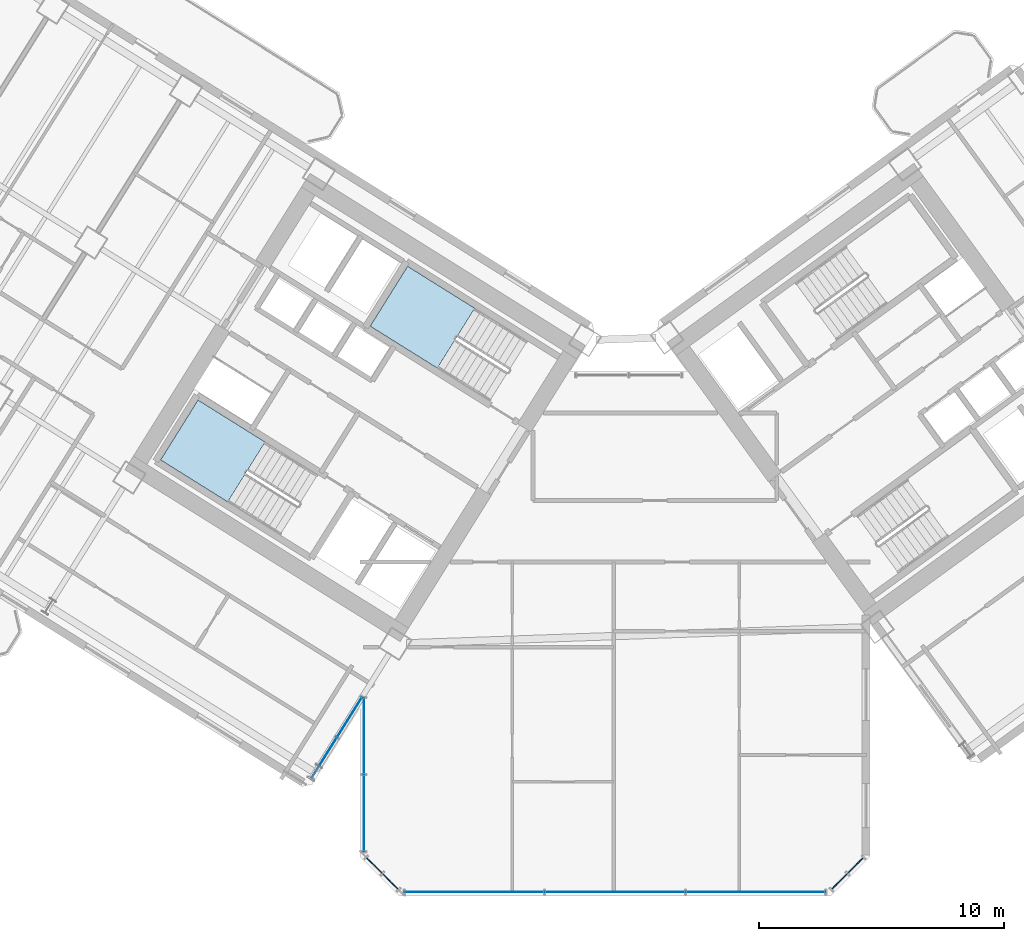
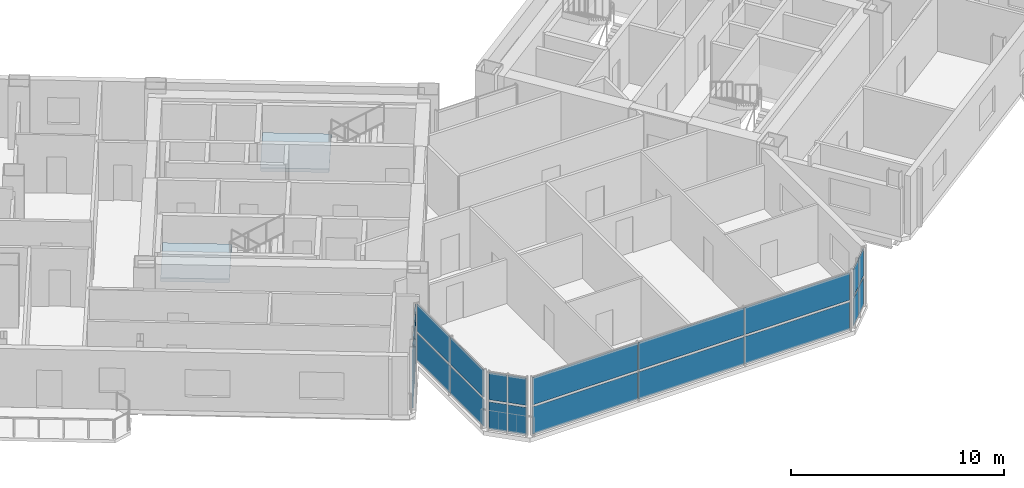
# One storey, part 13 of 24: 22 plates, 2 slabs, 7 elements without a shape of their own.
"""IFC4 building model written with IfcOpenShell, lengths in metres."""

from ifc_helpers import new_model, si_unit, direction, frame, origin, origin_2d, place, context, subcontext, project, spatial, polyline, rectangle, outline, extrude, source, transform, mapped, material, layer, layer_set, type_object, element, aggregate, save


model = new_model("IFC4")

# Units and contexts
model_context = context("Model", 3, precision=1e-05, world=origin(), true_north=direction((0.0, 1.0)))
body_context = subcontext(model_context, "Body", "Model", "MODEL_VIEW")
ifc_project = project(units=[si_unit("LENGTHUNIT", "METRE"), si_unit("AREAUNIT", "SQUARE_METRE"), si_unit("VOLUMEUNIT", "CUBIC_METRE"), si_unit("PLANEANGLEUNIT", "RADIAN"), si_unit("MASSUNIT", "GRAM", prefix="KILO")], contexts=[model_context])

# Site, building, storey
site_placement = place(None, origin())
site = spatial("IfcSite", under=ifc_project, at=site_placement, CompositionType="ELEMENT")
building_placement = place(site_placement, origin())
building = spatial("IfcBuilding", under=site, at=building_placement, Name="Tlacorven Tower", CompositionType="ELEMENT")
storey_placement = place(building_placement, frame((0.0, 0.0, 60.0)))
storey = spatial("IfcBuildingStorey", under=building, at=storey_placement, Name="L15", CompositionType="ELEMENT", Elevation=60.0)

# Stair, slab
ifc_material_1 = material(Name="Concrete C40/50", Category="concrete")
stair_type = type_object("IfcStairType", Name="ST-CORE-DLG", PredefinedType="HALF_TURN_STAIR", material=ifc_material_1)
stair_1_placement = place(storey_placement, origin())
stair_1 = element("IfcStair", 1, at=stair_1_placement, inside=storey, type_object=stair_type, Name="L15 Protected Exit Stair West 1", PredefinedType="HALF_TURN_STAIR")
ifc_layer_1 = layer(ifc_material_1, 0.199951171875)
ifc_layer_set_1 = layer_set([ifc_layer_1], Name="Concrete C40/50")
slab_type = type_object("IfcSlabType", Name="SL-LND-200", PredefinedType="LANDING", material=ifc_layer_set_1)
slab_1_placement = place(storey_placement, frame((0.0, 0.0, 1.60009765625)))
slab_1 = element("IfcSlab", 2, at=slab_1_placement, type_object=slab_type, Name="ST-W1 landing 1", PredefinedType="LANDING", context=body_context, shape_type="SweptSolid", body=[
    extrude(outline(polyline([(27.728515625, 20.315185546875), (24.9892578125, 22.02685546875), (23.463134765625, 19.58447265625), (26.2021484375, 17.872802734375), (27.728515625, 20.315185546875)])), origin(), (0.0, 0.0, 1.0), 0.199951171875),
])
aggregate(stair_1, [slab_1])

stair_2_placement = place(storey_placement, origin())
stair_2 = element("IfcStair", 3, at=stair_2_placement, inside=storey, type_object=stair_type, Name="L15 Protected Exit Stair West 2", PredefinedType="HALF_TURN_STAIR")
slab_2_placement = place(storey_placement, frame((0.0, 0.0, 1.60009765625)))
slab_2 = element("IfcSlab", 4, at=slab_2_placement, type_object=slab_type, Name="ST-W2 landing 1", PredefinedType="LANDING", context=body_context, shape_type="SweptSolid", body=[
    extrude(outline(polyline([(36.280029296875, 25.772705078125), (33.540771484375, 27.484375), (32.0146484375, 25.0419921875), (34.75390625, 23.33056640625), (36.280029296875, 25.772705078125)])), origin(), (0.0, 0.0, 1.0), 0.199951171875),
])
aggregate(stair_2, [slab_2])

# Curtain wall, plates
ifc_material_2 = material(Name="Dark solar low-E double glazing in aluminium frame", Category="aluminium")
curtain_wall_type = type_object("IfcCurtainWallType", Name="CW-TWR-LOW", PredefinedType="USERDEFINED", material=ifc_material_2)
curtain_wall_1_placement = place(storey_placement, origin())
curtain_wall_1 = element("IfcCurtainWall", 5, at=curtain_wall_1_placement, inside=storey, type_object=curtain_wall_type, Name="L15 CW-TWR-LOW Curtain Wall 81", ObjectType="UNITISED CURTAIN WALL", PredefinedType="USERDEFINED")
ifc_material_3 = material(Name="Dark solar double low-E glazing", Category="glass")
ifc_layer_2 = layer(ifc_material_3, 0.031982421875)
ifc_layer_set_2 = layer_set([ifc_layer_2], Name="Dark solar double low-E glazing")
plate_type = type_object("IfcPlateType", Name="CWP-02", PredefinedType="CURTAIN_PANEL", material=ifc_layer_set_2)
shared_shape_1 = source(origin(), body_context, "Body", "SweptSolid", [
    extrude(rectangle(XDim=0.878173828125, YDim=0.031982421875, at=origin_2d()), origin(), (0.0, 0.0, 1.0), 1.552978515625),
])
plate_1_placement = place(storey_placement, frame((51.815673828125, 3.0419921875, 0.06103515625), z_axis=(0.0, 0.0, 1.0), x_axis=(-0.707106781187, -0.707106781187, 0.0)))
plate_1 = element("IfcPlate", 6, at=plate_1_placement, type_object=plate_type, Name="CW-L15-081 Glazing Panel 1", PredefinedType="CURTAIN_PANEL", context=body_context, shape_type="MappedRepresentation", body=[
    mapped(shared_shape_1, transform((0.0, 0.0, 0.0), scale=1.0)),
])
plate_2_placement = place(storey_placement, frame((51.815673828125, 3.0419921875, 1.73583984375), z_axis=(0.0, 0.0, 1.0), x_axis=(-0.707106781187, -0.707106781187, 0.0)))
plate_2 = element("IfcPlate", 7, at=plate_2_placement, type_object=plate_type, Name="CW-L15-081 Glazing Panel 2", PredefinedType="CURTAIN_PANEL", context=body_context, shape_type="MappedRepresentation", body=[
    mapped(shared_shape_1, transform((0.0, 0.0, 0.0), scale=1.0)),
])
plate_3_placement = place(storey_placement, frame((51.157958984375, 2.38427734375, 0.06103515625), z_axis=(0.0, 0.0, 1.0), x_axis=(-0.707106781187, -0.707106781187, 0.0)))
plate_3 = element("IfcPlate", 8, at=plate_3_placement, type_object=plate_type, Name="CW-L15-081 Glazing Panel 3", PredefinedType="CURTAIN_PANEL", context=body_context, shape_type="MappedRepresentation", body=[
    mapped(shared_shape_1, transform((0.0, 0.0, 0.0), scale=1.0)),
])
plate_4_placement = place(storey_placement, frame((51.157958984375, 2.38427734375, 1.73583984375), z_axis=(0.0, 0.0, 1.0), x_axis=(-0.707106781187, -0.707106781187, 0.0)))
plate_4 = element("IfcPlate", 9, at=plate_4_placement, type_object=plate_type, Name="CW-L15-081 Glazing Panel 4", PredefinedType="CURTAIN_PANEL", context=body_context, shape_type="MappedRepresentation", body=[
    mapped(shared_shape_1, transform((0.0, 0.0, 0.0), scale=1.0)),
])
aggregate(curtain_wall_1, [plate_1, plate_2, plate_3, plate_4])

curtain_wall_2_placement = place(storey_placement, origin())
curtain_wall_2 = element("IfcCurtainWall", 10, at=curtain_wall_2_placement, inside=storey, type_object=curtain_wall_type, Name="L15 CW-TWR-LOW Curtain Wall 83", ObjectType="UNITISED CURTAIN WALL", PredefinedType="USERDEFINED")
plate_5_placement = place(storey_placement, frame((32.842041015625, 2.38427734375, 0.06103515625), z_axis=(0.0, 0.0, 1.0), x_axis=(-0.707106781187, 0.707106781187, 0.0)))
plate_5 = element("IfcPlate", 11, at=plate_5_placement, type_object=plate_type, Name="CW-L15-083 Glazing Panel 1", PredefinedType="CURTAIN_PANEL", context=body_context, shape_type="MappedRepresentation", body=[
    mapped(shared_shape_1, transform((0.0, 0.0, 0.0), scale=1.0)),
])
plate_6_placement = place(storey_placement, frame((32.842041015625, 2.38427734375, 1.73583984375), z_axis=(0.0, 0.0, 1.0), x_axis=(-0.707106781187, 0.707106781187, 0.0)))
plate_6 = element("IfcPlate", 12, at=plate_6_placement, type_object=plate_type, Name="CW-L15-083 Glazing Panel 2", PredefinedType="CURTAIN_PANEL", context=body_context, shape_type="MappedRepresentation", body=[
    mapped(shared_shape_1, transform((0.0, 0.0, 0.0), scale=1.0)),
])
plate_7_placement = place(storey_placement, frame((32.184326171875, 3.0419921875, 0.06103515625), z_axis=(0.0, 0.0, 1.0), x_axis=(-0.707106781187, 0.707106781187, 0.0)))
plate_7 = element("IfcPlate", 13, at=plate_7_placement, type_object=plate_type, Name="CW-L15-083 Glazing Panel 3", PredefinedType="CURTAIN_PANEL", context=body_context, shape_type="MappedRepresentation", body=[
    mapped(shared_shape_1, transform((0.0, 0.0, 0.0), scale=1.0)),
])
plate_8_placement = place(storey_placement, frame((32.184326171875, 3.0419921875, 1.73583984375), z_axis=(0.0, 0.0, 1.0), x_axis=(-0.707106781187, 0.707106781187, 0.0)))
plate_8 = element("IfcPlate", 14, at=plate_8_placement, type_object=plate_type, Name="CW-L15-083 Glazing Panel 4", PredefinedType="CURTAIN_PANEL", context=body_context, shape_type="MappedRepresentation", body=[
    mapped(shared_shape_1, transform((0.0, 0.0, 0.0), scale=1.0)),
])
aggregate(curtain_wall_2, [plate_5, plate_6, plate_7, plate_8])

curtain_wall_3_placement = place(storey_placement, origin())
curtain_wall_3 = element("IfcCurtainWall", 15, at=curtain_wall_3_placement, inside=storey, type_object=curtain_wall_type, Name="L15 CW-TWR-LOW Curtain Wall 82", ObjectType="UNITISED CURTAIN WALL", PredefinedType="USERDEFINED")
shared_shape_2 = source(origin(), body_context, "Body", "SweptSolid", [
    extrude(rectangle(XDim=5.668701171875, YDim=0.031982421875, at=origin_2d()), origin(), (0.0, 0.0, 1.0), 1.552978515625),
])
plate_9_placement = place(storey_placement, frame((47.73828125, 1.9599609375, 0.06103515625), z_axis=(0.0, 0.0, 1.0), x_axis=(-1.0, 0.0, 0.0)))
plate_9 = element("IfcPlate", 16, at=plate_9_placement, type_object=plate_type, Name="CW-L15-082 Glazing Panel 1", PredefinedType="CURTAIN_PANEL", context=body_context, shape_type="MappedRepresentation", body=[
    mapped(shared_shape_2, transform((0.0, 0.0, 0.0), scale=1.0)),
])
plate_10_placement = place(storey_placement, frame((47.73828125, 1.9599609375, 1.73583984375), z_axis=(0.0, 0.0, 1.0), x_axis=(-1.0, 0.0, 0.0)))
plate_10 = element("IfcPlate", 17, at=plate_10_placement, type_object=plate_type, Name="CW-L15-082 Glazing Panel 2", PredefinedType="CURTAIN_PANEL", context=body_context, shape_type="MappedRepresentation", body=[
    mapped(shared_shape_2, transform((0.0, 0.0, 0.0), scale=1.0)),
])
plate_11_placement = place(storey_placement, frame((36.26171875, 1.9599609375, 0.06103515625), z_axis=(0.0, 0.0, 1.0), x_axis=(-1.0, 0.0, 0.0)))
plate_11 = element("IfcPlate", 18, at=plate_11_placement, type_object=plate_type, Name="CW-L15-082 Glazing Panel 5", PredefinedType="CURTAIN_PANEL", context=body_context, shape_type="MappedRepresentation", body=[
    mapped(shared_shape_2, transform((0.0, 0.0, 0.0), scale=1.0)),
])
plate_12_placement = place(storey_placement, frame((36.26171875, 1.9599609375, 1.73583984375), z_axis=(0.0, 0.0, 1.0), x_axis=(-1.0, 0.0, 0.0)))
plate_12 = element("IfcPlate", 19, at=plate_12_placement, type_object=plate_type, Name="CW-L15-082 Glazing Panel 6", PredefinedType="CURTAIN_PANEL", context=body_context, shape_type="MappedRepresentation", body=[
    mapped(shared_shape_2, transform((0.0, 0.0, 0.0), scale=1.0)),
])
shared_shape_3 = source(origin(), body_context, "Body", "SweptSolid", [
    extrude(rectangle(XDim=5.703857421875, YDim=0.031982421875, at=origin_2d()), origin(), (0.0, 0.0, 1.0), 1.552978515625),
])
plate_13_placement = place(storey_placement, frame((42.0, 1.9599609375, 0.06103515625), z_axis=(0.0, 0.0, 1.0), x_axis=(-1.0, 0.0, 0.0)))
plate_13 = element("IfcPlate", 20, at=plate_13_placement, type_object=plate_type, Name="CW-L15-082 Glazing Panel 3", PredefinedType="CURTAIN_PANEL", context=body_context, shape_type="MappedRepresentation", body=[
    mapped(shared_shape_3, transform((0.0, 0.0, 0.0), scale=1.0)),
])
plate_14_placement = place(storey_placement, frame((42.0, 1.9599609375, 1.73583984375), z_axis=(0.0, 0.0, 1.0), x_axis=(-1.0, 0.0, 0.0)))
plate_14 = element("IfcPlate", 21, at=plate_14_placement, type_object=plate_type, Name="CW-L15-082 Glazing Panel 4", PredefinedType="CURTAIN_PANEL", context=body_context, shape_type="MappedRepresentation", body=[
    mapped(shared_shape_3, transform((0.0, 0.0, 0.0), scale=1.0)),
])
aggregate(curtain_wall_3, [plate_9, plate_10, plate_13, plate_14, plate_11, plate_12])

curtain_wall_4_placement = place(storey_placement, origin())
curtain_wall_4 = element("IfcCurtainWall", 22, at=curtain_wall_4_placement, inside=storey, type_object=curtain_wall_type, Name="L15 CW-TWR-LOW Curtain Wall 84", ObjectType="UNITISED CURTAIN WALL", PredefinedType="USERDEFINED")
shared_shape_4 = source(origin(), body_context, "Body", "SweptSolid", [
    extrude(rectangle(XDim=3.09423828125, YDim=0.031982421875, at=origin_2d()), origin(), (0.0, 0.0, 1.0), 1.552978515625),
])
plate_15_placement = place(storey_placement, frame((31.760009765625, 5.17431640625, 0.06103515625), z_axis=(0.0, 0.0, 1.0), x_axis=(0.0, 1.0, 0.0)))
plate_15 = element("IfcPlate", 23, at=plate_15_placement, type_object=plate_type, Name="CW-L15-084 Glazing Panel 1", PredefinedType="CURTAIN_PANEL", context=body_context, shape_type="MappedRepresentation", body=[
    mapped(shared_shape_4, transform((0.0, 0.0, 0.0), scale=1.0)),
])
plate_16_placement = place(storey_placement, frame((31.760009765625, 5.17431640625, 1.73583984375), z_axis=(0.0, 0.0, 1.0), x_axis=(0.0, 1.0, 0.0)))
plate_16 = element("IfcPlate", 24, at=plate_16_placement, type_object=plate_type, Name="CW-L15-084 Glazing Panel 2", PredefinedType="CURTAIN_PANEL", context=body_context, shape_type="MappedRepresentation", body=[
    mapped(shared_shape_4, transform((0.0, 0.0, 0.0), scale=1.0)),
])
plate_17_placement = place(storey_placement, frame((31.760009765625, 8.320556640625, 0.06103515625), z_axis=(0.0, 0.0, 1.0), x_axis=(0.0, 1.0, 0.0)))
plate_17 = element("IfcPlate", 25, at=plate_17_placement, type_object=plate_type, Name="CW-L15-084 Glazing Panel 3", PredefinedType="CURTAIN_PANEL", context=body_context, shape_type="MappedRepresentation", body=[
    mapped(shared_shape_4, transform((0.0, 0.0, 0.0), scale=1.0)),
])
plate_18_placement = place(storey_placement, frame((31.760009765625, 8.320556640625, 1.73583984375), z_axis=(0.0, 0.0, 1.0), x_axis=(0.0, 1.0, 0.0)))
plate_18 = element("IfcPlate", 26, at=plate_18_placement, type_object=plate_type, Name="CW-L15-084 Glazing Panel 4", PredefinedType="CURTAIN_PANEL", context=body_context, shape_type="MappedRepresentation", body=[
    mapped(shared_shape_4, transform((0.0, 0.0, 0.0), scale=1.0)),
])
aggregate(curtain_wall_4, [plate_15, plate_16, plate_17, plate_18])

curtain_wall_5_placement = place(storey_placement, origin())
curtain_wall_5 = element("IfcCurtainWall", 27, at=curtain_wall_5_placement, inside=storey, type_object=curtain_wall_type, Name="L15 CW-TWR-LOW Curtain Wall 85", ObjectType="UNITISED CURTAIN WALL", PredefinedType="USERDEFINED")
shared_shape_5 = source(origin(), body_context, "Body", "SweptSolid", [
    extrude(rectangle(XDim=1.896240234375, YDim=0.031982421875, at=origin_2d()), origin(), (0.0, 0.0, 1.0), 1.552978515625),
])
plate_19_placement = place(storey_placement, frame((31.172119140625, 9.087890625, 0.06103515625), z_axis=(0.0, 0.0, 1.0), x_axis=(-0.529918710919, -0.848048441905, 0.0)))
plate_19 = element("IfcPlate", 28, at=plate_19_placement, type_object=plate_type, Name="CW-L15-085 Glazing Panel 1", PredefinedType="CURTAIN_PANEL", context=body_context, shape_type="MappedRepresentation", body=[
    mapped(shared_shape_5, transform((0.0, 0.0, 0.0), scale=1.0)),
])
plate_20_placement = place(storey_placement, frame((31.172119140625, 9.087890625, 1.73583984375), z_axis=(0.0, 0.0, 1.0), x_axis=(-0.529918710919, -0.848048441905, 0.0)))
plate_20 = element("IfcPlate", 29, at=plate_20_placement, type_object=plate_type, Name="CW-L15-085 Glazing Panel 2", PredefinedType="CURTAIN_PANEL", context=body_context, shape_type="MappedRepresentation", body=[
    mapped(shared_shape_5, transform((0.0, 0.0, 0.0), scale=1.0)),
])
plate_21_placement = place(storey_placement, frame((30.1396484375, 7.435791015625, 0.06103515625), z_axis=(0.0, 0.0, 1.0), x_axis=(-0.529918710919, -0.848048441905, 0.0)))
plate_21 = element("IfcPlate", 30, at=plate_21_placement, type_object=plate_type, Name="CW-L15-085 Glazing Panel 3", PredefinedType="CURTAIN_PANEL", context=body_context, shape_type="MappedRepresentation", body=[
    mapped(shared_shape_5, transform((0.0, 0.0, 0.0), scale=1.0)),
])
plate_22_placement = place(storey_placement, frame((30.1396484375, 7.435791015625, 1.73583984375), z_axis=(0.0, 0.0, 1.0), x_axis=(-0.529918710919, -0.848048441905, 0.0)))
plate_22 = element("IfcPlate", 31, at=plate_22_placement, type_object=plate_type, Name="CW-L15-085 Glazing Panel 4", PredefinedType="CURTAIN_PANEL", context=body_context, shape_type="MappedRepresentation", body=[
    mapped(shared_shape_5, transform((0.0, 0.0, 0.0), scale=1.0)),
])
aggregate(curtain_wall_5, [plate_19, plate_20, plate_21, plate_22])

save(model, "model.ifc")
